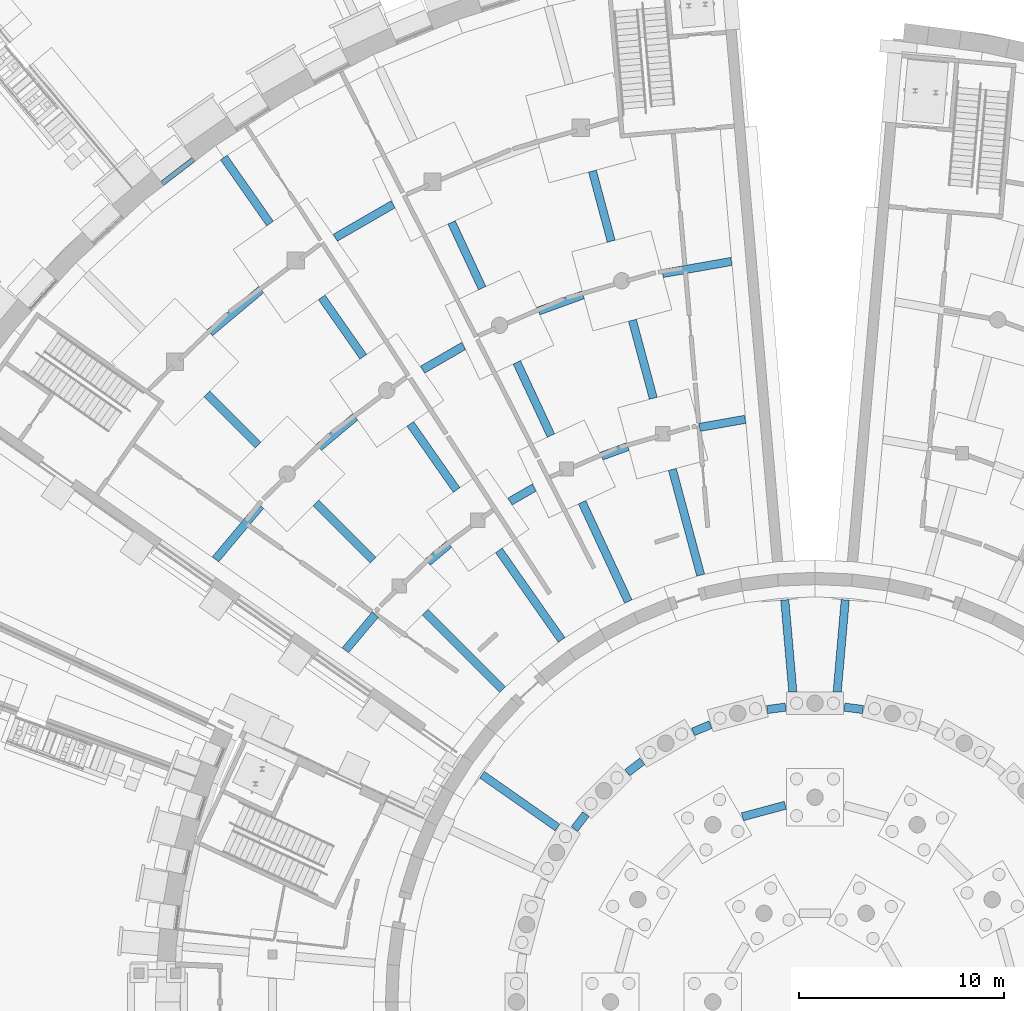
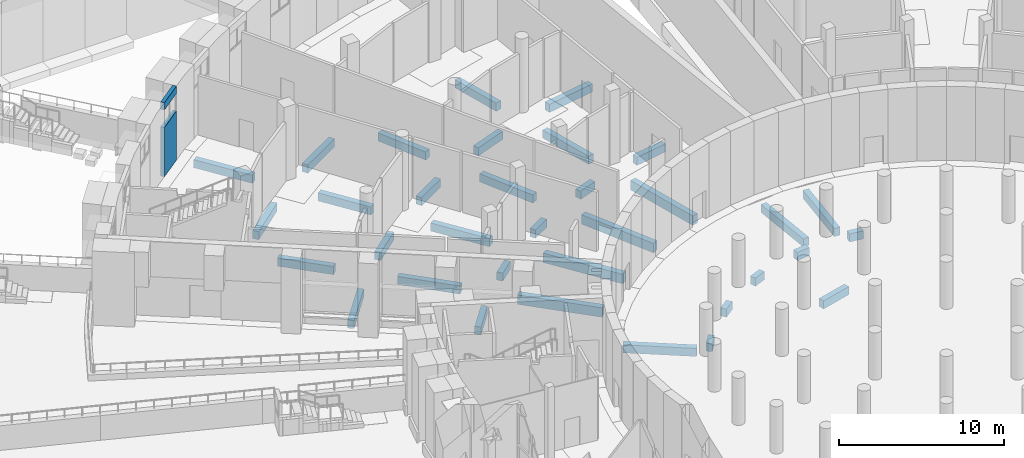
# One storey, part 23 of 65: 36 beams.
"""IFC4 building model written with IfcOpenShell, lengths in metres."""

from ifc_helpers import new_model, si_unit, direction, frame, origin, origin_2d, place, context, subcontext, project, spatial, rectangle, extrude, material, material_profile, profile_set, type_object, element, save


model = new_model("IFC4")

# Units and contexts
model_context = context("Model", 3, precision=1e-05, world=origin(), true_north=direction((0.0, 1.0)))
body_context = subcontext(model_context, "Body", "Model", "MODEL_VIEW")
ifc_project = project(units=[si_unit("LENGTHUNIT", "METRE"), si_unit("AREAUNIT", "SQUARE_METRE"), si_unit("VOLUMEUNIT", "CUBIC_METRE"), si_unit("PLANEANGLEUNIT", "RADIAN"), si_unit("MASSUNIT", "GRAM", prefix="KILO")], contexts=[model_context])

# Site, building, storey
site_placement = place(None, origin())
site = spatial("IfcSite", under=ifc_project, at=site_placement, CompositionType="ELEMENT")
building_placement = place(site_placement, origin())
building = spatial("IfcBuilding", under=site, at=building_placement, Name="Volute Hill Aquarium", CompositionType="ELEMENT")
storey_placement = place(building_placement, frame((0.0, 0.0, -5.5)))
storey = spatial("IfcBuildingStorey", under=building, at=storey_placement, Name="L00", CompositionType="ELEMENT", Elevation=-5.5)

# Beams
ifc_material_1 = material(Name="Concrete C35/45", Category="concrete")
ifc_material_profile_1 = material_profile(ifc_material_1, rectangle(XDim=0.25, YDim=0.550048828125, at=origin_2d()), Name="RC beam 250x550")
ifc_profile_set_1 = profile_set([ifc_material_profile_1], Name="Concrete C35/45")
beam_type_1 = type_object("IfcBeamType", Name="Niche head beam RC 250x550 C35/45", PredefinedType="BEAM", material=ifc_profile_set_1)
beam_1_placement = place(storey_placement, frame((-30.386962890625, 41.189208984375, 5.22509765625), z_axis=(-0.793346193695, -0.608770742521, 0.0), x_axis=(0.608770742521, -0.793346193695, 0.0)))
element("IfcBeam", 1, at=beam_1_placement, inside=storey, type_object=beam_type_1, Name="Niche head beam OWB S6 L00 7", PredefinedType="BEAM", context=body_context, shape_type="SweptSolid", body=[
    extrude(rectangle(XDim=0.25, YDim=0.550048828125, at=origin_2d()), origin(), (0.0, 0.0, 1.0), 1.933837890625),
])
ifc_material_2 = material(Name="Concrete C35/45", Category="concrete")
ifc_material_profile_2 = material_profile(ifc_material_2, rectangle(XDim=0.25, YDim=3.64990234375, at=origin_2d()), Name="RC beam 250x3650")
ifc_profile_set_2 = profile_set([ifc_material_profile_2], Name="Concrete C35/45")
beam_type_2 = type_object("IfcBeamType", Name="Niche sill beam RC 250x3650 C35/45", PredefinedType="BEAM", material=ifc_profile_set_2)
beam_2_placement = place(storey_placement, frame((-30.386962890625, 41.189208984375, 1.824951171875), z_axis=(-0.793346193695, -0.608770742521, 0.0), x_axis=(0.608770742521, -0.793346193695, 0.0)))
element("IfcBeam", 2, at=beam_2_placement, inside=storey, type_object=beam_type_2, Name="Niche sill beam OWB S6 L00 7", PredefinedType="BEAM", context=body_context, shape_type="SweptSolid", body=[
    extrude(rectangle(XDim=0.25, YDim=3.64990234375, at=origin_2d()), origin(), (0.0, 0.0, 1.0), 1.933837890625),
])
ifc_material_3 = material(Name="Concrete C30/37", Category="concrete")
ifc_material_profile_3 = material_profile(ifc_material_3, rectangle(XDim=0.39990234375, YDim=0.60009765625, at=origin_2d()), Name="RC tie beam 400x600")
ifc_profile_set_3 = profile_set([ifc_material_profile_3], Name="Concrete C30/37")
beam_type_3 = type_object("IfcBeamType", Name="Tank hall tie beam RC 400x600 C30/37", PredefinedType="BEAM", material=ifc_profile_set_3)
beam_3_placement = place(storey_placement, frame((-1.45166015625, 9.611083984375, -0.60009765625), z_axis=(-0.965929978286, -0.258803549142, 0.0), x_axis=(0.258803549142, -0.965929978286, 0.0)))
element("IfcBeam", 3, at=beam_3_placement, inside=storey, type_object=beam_type_3, Name="tb/DR/L00/2.3", PredefinedType="BEAM", context=body_context, shape_type="SweptSolid", body=[
    extrude(rectangle(XDim=0.39990234375, YDim=0.60009765625, at=origin_2d()), origin(), (0.0, 0.0, 1.0), 2.170654296875),
])
for number, where, z_axis, x_axis, name in (
    (4, (2.3408203125, 14.291748046875, -0.60009765625), (-0.991439688838, 0.130565475518, 0.0), (-0.130565475518, -0.991439688838, 0.0), "tb/DR/L00/3.5"),
    (5, (-1.43798828125, 14.41064453125, -0.60009765625), (-0.991439688838, -0.130565475518, 0.0), (0.130565475518, -0.991439688838, 0.0), "tb/DR/L00/3.6"),
):
    element("IfcBeam", number, at=place(storey_placement, frame(where, z_axis=z_axis, x_axis=x_axis)), inside=storey, type_object=beam_type_3, Name=name, PredefinedType="BEAM", context=body_context, shape_type="SweptSolid", body=[
        extrude(rectangle(XDim=0.39990234375, YDim=0.60009765625, at=origin_2d()), origin(), (0.0, 0.0, 1.0), 0.91064453125),
    ])
for number, where, z_axis, x_axis, name in (
    (6, (-5.118896484375, 13.547607421875, -0.60009765625), (-0.923781446641, -0.382920146822, 0.0), (0.382920146822, -0.923781446641, 0.0), "tb/DR/L00/3.7"),
    (7, (-8.45068359375, 11.760986328125, -0.60009765625), (-0.793420748018, -0.608673571477, 0.0), (0.608673571477, -0.793420748018, 0.0), "tb/DR/L00/3.8"),
    (8, (-11.206787109375, 9.173095703125, -0.60009765625), (-0.608673571477, -0.793420748018, 0.0), (0.793420748018, -0.608673571477, 0.0), "tb/DR/L00/3.9"),
):
    element("IfcBeam", number, at=place(storey_placement, frame(where, z_axis=z_axis, x_axis=x_axis)), inside=storey, type_object=beam_type_3, Name=name, PredefinedType="BEAM", context=body_context, shape_type="SweptSolid", body=[
        extrude(rectangle(XDim=0.39990234375, YDim=0.60009765625, at=origin_2d()), origin(), (0.0, 0.0, 1.0), 0.910400390625),
    ])
ifc_material_4 = material(Name="Concrete C30/37", Category="concrete")
ifc_material_profile_4 = material_profile(ifc_material_4, rectangle(XDim=0.39990234375, YDim=0.60009765625, at=origin_2d()), Name="RC tie beam 400x600")
ifc_profile_set_4 = profile_set([ifc_material_profile_4], Name="Concrete C30/37")
beam_type_4 = type_object("IfcBeamType", Name="Tie beam 400x600 C30/37", PredefinedType="BEAM", material=ifc_profile_set_4)
beam_4_placement = place(storey_placement, frame((-9.1552734375, 27.146484375, -0.75), z_axis=(-0.939714947717, -0.341958794356, 0.0), x_axis=(0.341958794356, -0.939714947717, 0.0)))
element("IfcBeam", 9, at=beam_4_placement, inside=storey, type_object=beam_type_4, Name="tb/S6/L00/76", PredefinedType="BEAM", context=body_context, shape_type="SweptSolid", body=[
    extrude(rectangle(XDim=0.39990234375, YDim=0.60009765625, at=origin_2d()), origin(), (0.0, 0.0, 1.0), 1.363037109375),
])
beam_5_placement = place(storey_placement, frame((-5.644287109375, 28.087158203125, -0.75), z_axis=(0.984804158894, 0.173668559691, 0.0), x_axis=(-0.173668559691, 0.984804158894, 0.0)))
element("IfcBeam", 10, at=beam_5_placement, inside=storey, type_object=beam_type_4, Name="tb/S6/L00/77", PredefinedType="BEAM", context=body_context, shape_type="SweptSolid", body=[
    extrude(rectangle(XDim=0.39990234375, YDim=0.60009765625, at=origin_2d()), origin(), (0.0, 0.0, 1.0), 2.26611328125),
])
beam_6_placement = place(storey_placement, frame((-7.906982421875, 29.509521484375, -0.75), z_axis=(-0.25885145133, 0.965917142484, 0.0), x_axis=(-0.965917142484, -0.25885145133, 0.0)))
element("IfcBeam", 11, at=beam_6_placement, inside=storey, type_object=beam_type_4, Name="tb/S6/L00/79", PredefinedType="BEAM", context=body_context, shape_type="SweptSolid", body=[
    extrude(rectangle(XDim=0.39990234375, YDim=0.60009765625, at=origin_2d()), origin(), (0.0, 0.0, 1.0), 3.948974609375),
])
beam_7_placement = place(storey_placement, frame((-13.730224609375, 25.14404296875, -0.75), z_axis=(-0.866096087798, -0.499877551708, 0.0), x_axis=(0.499877551708, -0.866096087798, 0.0)))
element("IfcBeam", 12, at=beam_7_placement, inside=storey, type_object=beam_type_4, Name="tb/S6/L00/80", PredefinedType="BEAM", context=body_context, shape_type="SweptSolid", body=[
    extrude(rectangle(XDim=0.39990234375, YDim=0.60009765625, at=origin_2d()), origin(), (0.0, 0.0, 1.0), 1.362548828125),
])
beam_8_placement = place(storey_placement, frame((-12.910888671875, 27.687744140625, -0.75), z_axis=(-0.422645210149, 0.9062952203, 0.0), x_axis=(-0.9062952203, -0.422645210149, 0.0)))
element("IfcBeam", 13, at=beam_8_placement, inside=storey, type_object=beam_type_4, Name="tb/S6/L00/82", PredefinedType="BEAM", context=body_context, shape_type="SweptSolid", body=[
    extrude(rectangle(XDim=0.39990234375, YDim=0.60009765625, at=origin_2d()), origin(), (0.0, 0.0, 1.0), 3.949951171875),
])
beam_9_placement = place(storey_placement, frame((-17.887939453125, 22.3779296875, -0.75), z_axis=(-0.765969527232, -0.6428768804, 0.0), x_axis=(0.6428768804, -0.765969527232, 0.0)))
element("IfcBeam", 14, at=beam_9_placement, inside=storey, type_object=beam_type_4, Name="tb/S6/L00/83", PredefinedType="BEAM", context=body_context, shape_type="SweptSolid", body=[
    extrude(rectangle(XDim=0.39990234375, YDim=0.60009765625, at=origin_2d()), origin(), (0.0, 0.0, 1.0), 1.362548828125),
])
beam_10_placement = place(storey_placement, frame((-17.522705078125, 25.025146484375, -0.75), z_axis=(-0.573582636552, 0.819147702826, 0.0), x_axis=(-0.819147702826, -0.573582636552, 0.0)))
element("IfcBeam", 15, at=beam_10_placement, inside=storey, type_object=beam_type_4, Name="tb/S6/L00/85", PredefinedType="BEAM", context=body_context, shape_type="SweptSolid", body=[
    extrude(rectangle(XDim=0.39990234375, YDim=0.60009765625, at=origin_2d()), origin(), (0.0, 0.0, 1.0), 3.949951171875),
])
beam_11_placement = place(storey_placement, frame((-21.501953125, 18.931640625, -0.75), z_axis=(-0.642787712259, -0.76604435705, 0.0), x_axis=(0.76604435705, -0.642787712259, 0.0)))
element("IfcBeam", 16, at=beam_11_placement, inside=storey, type_object=beam_type_4, Name="tb/S6/L00/86", PredefinedType="BEAM", context=body_context, shape_type="SweptSolid", body=[
    extrude(rectangle(XDim=0.39990234375, YDim=0.60009765625, at=origin_2d()), origin(), (0.0, 0.0, 1.0), 2.265869140625),
])
beam_12_placement = place(storey_placement, frame((-21.60205078125, 21.60205078125, -0.75), z_axis=(-0.707106781187, 0.707106781187, 0.0), x_axis=(-0.707106781187, -0.707106781187, 0.0)))
element("IfcBeam", 17, at=beam_12_placement, inside=storey, type_object=beam_type_4, Name="tb/S6/L00/88", PredefinedType="BEAM", context=body_context, shape_type="SweptSolid", body=[
    extrude(rectangle(XDim=0.39990234375, YDim=0.60009765625, at=origin_2d()), origin(), (0.0, 0.0, 1.0), 3.9501953125),
])
beam_13_placement = place(storey_placement, frame((-11.349853515625, 34.563720703125, -0.75), z_axis=(-0.939670056147, -0.3420821328, 0.0), x_axis=(0.3420821328, -0.939670056147, 0.0)))
element("IfcBeam", 18, at=beam_13_placement, inside=storey, type_object=beam_type_4, Name="tb/S6/L00/89", PredefinedType="BEAM", context=body_context, shape_type="SweptSolid", body=[
    extrude(rectangle(XDim=0.39990234375, YDim=0.60009765625, at=origin_2d()), origin(), (0.0, 0.0, 1.0), 2.312255859375),
])
beam_14_placement = place(storey_placement, frame((-7.452392578125, 35.60791015625, -0.75), z_axis=(0.984805134994, 0.173663024531, 0.0), x_axis=(-0.173663024531, 0.984805134994, 0.0)))
element("IfcBeam", 19, at=beam_14_placement, inside=storey, type_object=beam_type_4, Name="tb/S6/L00/90", PredefinedType="BEAM", context=body_context, shape_type="SweptSolid", body=[
    extrude(rectangle(XDim=0.39990234375, YDim=0.60009765625, at=origin_2d()), origin(), (0.0, 0.0, 1.0), 3.416259765625),
])
beam_15_placement = place(storey_placement, frame((-9.964599609375, 37.188720703125, -0.75), z_axis=(-0.258865603271, 0.965913349863, 0.0), x_axis=(-0.965913349863, -0.258865603271, 0.0)))
element("IfcBeam", 20, at=beam_15_placement, inside=storey, type_object=beam_type_4, Name="tb/S6/L00/91", PredefinedType="BEAM", context=body_context, shape_type="SweptSolid", body=[
    extrude(rectangle(XDim=0.39990234375, YDim=0.60009765625, at=origin_2d()), origin(), (0.0, 0.0, 1.0), 3.549072265625),
])
beam_16_placement = place(storey_placement, frame((-17.179443359375, 32.067626953125, -0.75), z_axis=(-0.866018524609, -0.500011914892, 0.0), x_axis=(0.500011914892, -0.866018524609, 0.0)))
element("IfcBeam", 21, at=beam_16_placement, inside=storey, type_object=beam_type_4, Name="tb/S6/L00/92", PredefinedType="BEAM", context=body_context, shape_type="SweptSolid", body=[
    extrude(rectangle(XDim=0.39990234375, YDim=0.60009765625, at=origin_2d()), origin(), (0.0, 0.0, 1.0), 2.31201171875),
])
beam_17_placement = place(storey_placement, frame((-16.270751953125, 34.892822265625, -0.75), z_axis=(-0.422618130729, 0.906307848128, 0.0), x_axis=(-0.906307848128, -0.422618130729, 0.0)))
element("IfcBeam", 22, at=beam_17_placement, inside=storey, type_object=beam_type_4, Name="tb/S6/L00/93", PredefinedType="BEAM", context=body_context, shape_type="SweptSolid", body=[
    extrude(rectangle(XDim=0.39990234375, YDim=0.60009765625, at=origin_2d()), origin(), (0.0, 0.0, 1.0), 3.5498046875),
])
beam_18_placement = place(storey_placement, frame((-22.48681640625, 28.597412109375, -0.75), z_axis=(-0.766027172688, -0.642808191223, 0.0), x_axis=(0.642808191223, -0.766027172688, 0.0)))
element("IfcBeam", 23, at=beam_18_placement, inside=storey, type_object=beam_type_4, Name="tb/S6/L00/94", PredefinedType="BEAM", context=body_context, shape_type="SweptSolid", body=[
    extrude(rectangle(XDim=0.39990234375, YDim=0.60009765625, at=origin_2d()), origin(), (0.0, 0.0, 1.0), 2.312255859375),
])
beam_19_placement = place(storey_placement, frame((-22.0830078125, 31.53759765625, -0.75), z_axis=(-0.573554662587, 0.819167290012, 0.0), x_axis=(-0.819167290012, -0.573554662587, 0.0)))
element("IfcBeam", 24, at=beam_19_placement, inside=storey, type_object=beam_type_4, Name="tb/S6/L00/95", PredefinedType="BEAM", context=body_context, shape_type="SweptSolid", body=[
    extrude(rectangle(XDim=0.39990234375, YDim=0.60009765625, at=origin_2d()), origin(), (0.0, 0.0, 1.0), 3.549560546875),
])
beam_20_placement = place(storey_placement, frame((-27.111083984375, 24.258056640625, -0.75), z_axis=(-0.642774652811, -0.766055315042, 0.0), x_axis=(0.766055315042, -0.642774652811, 0.0)))
element("IfcBeam", 25, at=beam_20_placement, inside=storey, type_object=beam_type_4, Name="tb/S6/L00/96", PredefinedType="BEAM", context=body_context, shape_type="SweptSolid", body=[
    extrude(rectangle(XDim=0.39990234375, YDim=0.60009765625, at=origin_2d()), origin(), (0.0, 0.0, 1.0), 3.416015625),
])
beam_21_placement = place(storey_placement, frame((-27.2236328125, 27.2236328125, -0.75), z_axis=(-0.707106781187, 0.707106781187, 0.0), x_axis=(-0.707106781187, -0.707106781187, 0.0)))
element("IfcBeam", 26, at=beam_21_placement, inside=storey, type_object=beam_type_4, Name="tb/S6/L00/97", PredefinedType="BEAM", context=body_context, shape_type="SweptSolid", body=[
    extrude(rectangle(XDim=0.39990234375, YDim=0.60009765625, at=origin_2d()), origin(), (0.0, 0.0, 1.0), 3.550048828125),
])
for number, where, z_axis, x_axis, name in (
    (27, (-20.628662109375, 38.9912109375, -0.75), (-0.866004829082, -0.500035634737, 0.0), (0.500035634737, -0.866004829082, 0.0), "tb/S6/L00/100"),
    (28, (-27.0859375, 34.816650390625, -0.75), (-0.766057182193, -0.642772427544, 0.0), (0.642772427544, -0.766057182193, 0.0), "tb/S6/L00/102"),
):
    element("IfcBeam", number, at=place(storey_placement, frame(where, z_axis=z_axis, x_axis=x_axis)), inside=storey, type_object=beam_type_4, Name=name, PredefinedType="BEAM", context=body_context, shape_type="SweptSolid", body=[
        extrude(rectangle(XDim=0.39990234375, YDim=0.60009765625, at=origin_2d()), origin(), (0.0, 0.0, 1.0), 3.261474609375),
    ])
beam_22_placement = place(storey_placement, frame((-26.647705078125, 38.056884765625, -0.75), z_axis=(-0.57358318354, 0.819147319815, 0.0), x_axis=(-0.819147319815, -0.57358318354, 0.0)))
element("IfcBeam", 29, at=beam_22_placement, inside=storey, type_object=beam_type_4, Name="tb/S6/L00/103", PredefinedType="BEAM", context=body_context, shape_type="SweptSolid", body=[
    extrude(rectangle(XDim=0.39990234375, YDim=0.60009765625, at=origin_2d()), origin(), (0.0, 0.0, 1.0), 3.93212890625),
])
for number, where, z_axis, x_axis, name in (
    (30, (1.478515625, 19.653076171875, -0.60009765625), (-0.087132647173, -0.996196718423, 0.0), (0.996196718423, -0.087132647173, 0.0), "tb/S5/L00/eB0"),
    (31, (-1.478515625, 19.653076171875, -0.60009765625), (0.087132647173, -0.996196718423, 0.0), (0.996196718423, 0.087132647173, 0.0), "tb/S6/L00/eA1"),
    (32, (-16.28076171875, 11.10693359375, -0.60009765625), (0.819170780783, -0.573549676934, 0.0), (0.573549676934, 0.819170780783, 0.0), "tb/S6/L00/eB1"),
):
    element("IfcBeam", number, at=place(storey_placement, frame(where, z_axis=z_axis, x_axis=x_axis)), inside=storey, type_object=beam_type_4, Name=name, PredefinedType="BEAM", context=body_context, shape_type="SweptSolid", body=[
        extrude(rectangle(XDim=0.39990234375, YDim=0.60009765625, at=origin_2d()), origin(), (0.0, 0.0, 1.0), 4.502685546875),
    ])
ifc_material_5 = material(Name="Concrete C30/37", Category="concrete")
ifc_material_profile_5 = material_profile(ifc_material_5, rectangle(XDim=0.39990234375, YDim=0.699951171875, at=origin_2d()), Name="RC tie beam 400x700")
ifc_profile_set_5 = profile_set([ifc_material_profile_5], Name="Concrete C30/37")
beam_type_5 = type_object("IfcBeamType", Name="Tie beam 400x700 C30/37", PredefinedType="BEAM", material=ifc_profile_set_5)
beam_23_placement = place(storey_placement, frame((-6.97509765625, 26.03125, -0.800048828125), z_axis=(0.258812885452, -0.965927476741, 0.0), x_axis=(0.965927476741, 0.258812885452, 0.0)))
element("IfcBeam", 33, at=beam_23_placement, inside=storey, type_object=beam_type_5, Name="tb/S6/L00/78", PredefinedType="BEAM", context=body_context, shape_type="SweptSolid", body=[
    extrude(rectangle(XDim=0.39990234375, YDim=0.699951171875, at=origin_2d()), origin(), (0.0, 0.0, 1.0), 5.349609375),
])
beam_24_placement = place(storey_placement, frame((-11.3896484375, 24.4248046875, -0.800048828125), z_axis=(0.422623131255, -0.906305516329, 0.0), x_axis=(0.906305516329, 0.422623131255, 0.0)))
element("IfcBeam", 34, at=beam_24_placement, inside=storey, type_object=beam_type_5, Name="tb/S6/L00/81", PredefinedType="BEAM", context=body_context, shape_type="SweptSolid", body=[
    extrude(rectangle(XDim=0.39990234375, YDim=0.699951171875, at=origin_2d()), origin(), (0.0, 0.0, 1.0), 5.349853515625),
])
beam_25_placement = place(storey_placement, frame((-15.45751953125, 22.07568359375, -0.800048828125), z_axis=(0.573545042946, -0.819174025291, 0.0), x_axis=(0.819174025291, 0.573545042946, 0.0)))
element("IfcBeam", 35, at=beam_25_placement, inside=storey, type_object=beam_type_5, Name="tb/S6/L00/84", PredefinedType="BEAM", context=body_context, shape_type="SweptSolid", body=[
    extrude(rectangle(XDim=0.39990234375, YDim=0.699951171875, at=origin_2d()), origin(), (0.0, 0.0, 1.0), 5.349365234375),
])
beam_26_placement = place(storey_placement, frame((-19.056396484375, 19.056396484375, -0.800048828125), z_axis=(0.707106781187, -0.707106781187, 0.0), x_axis=(0.707106781187, 0.707106781187, 0.0)))
element("IfcBeam", 36, at=beam_26_placement, inside=storey, type_object=beam_type_5, Name="tb/S6/L00/87", PredefinedType="BEAM", context=body_context, shape_type="SweptSolid", body=[
    extrude(rectangle(XDim=0.39990234375, YDim=0.699951171875, at=origin_2d()), origin(), (0.0, 0.0, 1.0), 5.349853515625),
])

save(model, "model.ifc")
